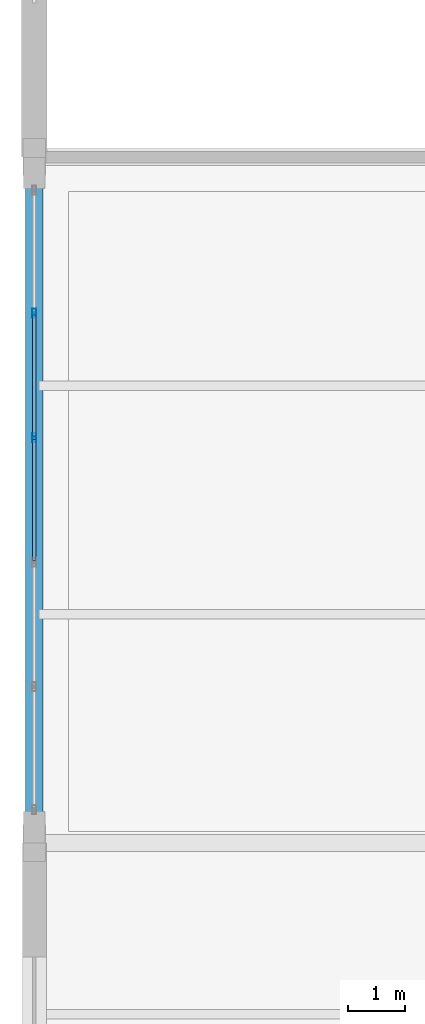
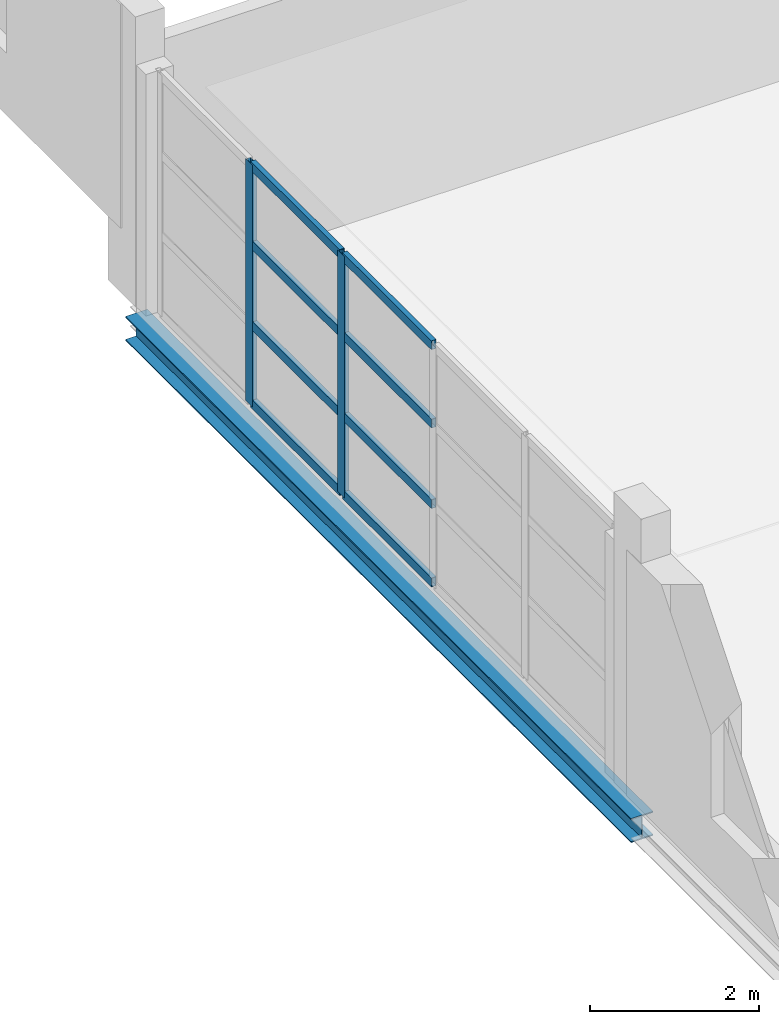
# One storey, part 115 of 158: 10 members, 1 beam, 1 element without a shape of its own.
"""IFC4 building model written with IfcOpenShell, lengths in metres."""

from ifc_helpers import new_model, si_unit, direction, frame, origin, origin_2d, place, context, subcontext, project, spatial, hollow_rectangle, i_section, extrude, material, layer, layer_set, material_profile, profile_set, type_object, element, aggregate, save


model = new_model("IFC4")

# Units and contexts
model_context = context("Model", 3, precision=1e-05, world=origin(), true_north=direction((0.0, 1.0)))
body_context = subcontext(model_context, "Body", "Model", "MODEL_VIEW")
ifc_project = project(units=[si_unit("LENGTHUNIT", "METRE"), si_unit("AREAUNIT", "SQUARE_METRE"), si_unit("VOLUMEUNIT", "CUBIC_METRE"), si_unit("PLANEANGLEUNIT", "RADIAN"), si_unit("MASSUNIT", "GRAM", prefix="KILO")], contexts=[model_context])

# Site, building, storey
site_placement = place(None, origin())
site = spatial("IfcSite", under=ifc_project, at=site_placement, CompositionType="ELEMENT")
building_placement = place(site_placement, origin())
building = spatial("IfcBuilding", under=site, at=building_placement, Name="Zilviju Railside Exhibition Hall", CompositionType="ELEMENT")
storey_placement = place(building_placement, frame((0.0, 0.0, 4.199951171875)))
storey = spatial("IfcBuildingStorey", under=building, at=storey_placement, Name="L02", CompositionType="ELEMENT", Elevation=4.199951171875)

# Beam
ifc_material_1 = material(Name="Steel S355J2", Category="steel")
ifc_material_profile_1 = material_profile(ifc_material_1, i_section(OverallWidth=0.300048828125, OverallDepth=0.35009765625, WebThickness=0.010009765625, FlangeThickness=0.017578125, at=origin_2d()), Name="HEA 360")
ifc_profile_set_1 = profile_set([ifc_material_profile_1], Name="Steel S355J2")
beam_type = type_object("IfcBeamType", Name="BM-HEA360", PredefinedType="BEAM", material=ifc_profile_set_1)
beam_placement = place(storey_placement, frame((0.0, 126.0, -0.52490234375), z_axis=(0.0, 1.0, 0.0), x_axis=(-1.0, 0.0, 0.0)))
element("IfcBeam", 1, at=beam_placement, inside=storey, type_object=beam_type, Name="Transverse Girder L02 X=0.0 (126.0..138.0)", PredefinedType="BEAM", context=body_context, shape_type="SweptSolid", body=[
    extrude(i_section(OverallWidth=0.300048828125, OverallDepth=0.35009765625, WebThickness=0.010009765625, FlangeThickness=0.017578125, at=origin_2d()), origin(), (0.0, 0.0, 1.0), 12.0),
])

# Curtain wall, members
ifc_material_2 = material(Name="Thermally broken aluminium-steel triple-glazed curtain wall", Category="steel")
ifc_layer = layer(ifc_material_2, 0.179931640625)
ifc_layer_set = layer_set([ifc_layer], Name="Thermally broken aluminium-steel triple-glazed curtain wall")
curtain_wall_type = type_object("IfcCurtainWallType", Name="CW-BAY-04", PredefinedType="USERDEFINED", material=ifc_layer_set)
curtain_wall_placement = place(storey_placement, origin())
curtain_wall = element("IfcCurtainWall", 2, at=curtain_wall_placement, inside=storey, type_object=curtain_wall_type, Name="Organisers Wing Jugendstils Erkeri Curtain Wall L02", ObjectType="GLAZED CURTAIN WALL", PredefinedType="USERDEFINED")
ifc_material_3 = material(Name="Thermally broken anodized aluminium mullion", Category="aluminium")
ifc_material_profile_2 = material_profile(ifc_material_3, hollow_rectangle(XDim=0.06494140625, YDim=0.159912109375, WallThickness=0.0048828125, at=origin_2d()), Name="MULLION 160x65x5")
ifc_profile_set_2 = profile_set([ifc_material_profile_2], Name="Thermally broken anodized aluminium mullion")
member_type_1 = type_object("IfcMemberType", Name="CWM-65x160", PredefinedType="MULLION", material=ifc_profile_set_2)
member_1_placement = place(storey_placement, frame((0.0, 133.090087890625, 0.0), z_axis=(0.0, 0.0, 1.0), x_axis=(-1.0, 0.0, 0.0)))
member_1 = element("IfcMember", 3, at=member_1_placement, type_object=member_type_1, Name="CW-04 mullion 4", PredefinedType="MULLION", context=body_context, shape_type="SweptSolid", body=[
    extrude(hollow_rectangle(XDim=0.06494140625, YDim=0.159912109375, WallThickness=0.0048828125, at=origin_2d()), origin(), (0.0, 0.0, 1.0), 3.5),
])
member_2_placement = place(storey_placement, frame((0.0, 135.27001953125, 0.0), z_axis=(0.0, 0.0, 1.0), x_axis=(-1.0, 0.0, 0.0)))
member_2 = element("IfcMember", 4, at=member_2_placement, type_object=member_type_1, Name="CW-04 mullion 5", PredefinedType="MULLION", context=body_context, shape_type="SweptSolid", body=[
    extrude(hollow_rectangle(XDim=0.06494140625, YDim=0.159912109375, WallThickness=0.0048828125, at=origin_2d()), origin(), (0.0, 0.0, 1.0), 3.5),
])
ifc_material_4 = material(Name="Thermally broken anodized aluminium transom", Category="aluminium")
ifc_material_profile_3 = material_profile(ifc_material_4, hollow_rectangle(XDim=0.06494140625, YDim=0.1298828125, WallThickness=0.0048828125, at=origin_2d()), Name="TRANSOM 130x65x5")
ifc_profile_set_3 = profile_set([ifc_material_profile_3], Name="Thermally broken anodized aluminium transom")
member_type_2 = type_object("IfcMemberType", Name="CWT-65x130", PredefinedType="USERDEFINED", material=ifc_profile_set_3)
member_3_placement = place(storey_placement, frame((0.0, 130.9423828125, 0.032470703125), z_axis=(0.0, 1.0, 0.0), x_axis=(-1.0, 0.0, 0.0)))
member_3 = element("IfcMember", 5, at=member_3_placement, type_object=member_type_2, Name="CW-04 transom 3.1", ObjectType="TRANSOM", PredefinedType="USERDEFINED", context=body_context, shape_type="SweptSolid", body=[
    extrude(hollow_rectangle(XDim=0.06494140625, YDim=0.1298828125, WallThickness=0.0048828125, at=origin_2d()), origin(), (0.0, 0.0, 1.0), 2.115234375),
])
member_4_placement = place(storey_placement, frame((0.0, 130.9423828125, 1.1669921875), z_axis=(0.0, 1.0, 0.0), x_axis=(-1.0, 0.0, 0.0)))
member_4 = element("IfcMember", 6, at=member_4_placement, type_object=member_type_2, Name="CW-04 transom 3.2", ObjectType="TRANSOM", PredefinedType="USERDEFINED", context=body_context, shape_type="SweptSolid", body=[
    extrude(hollow_rectangle(XDim=0.06494140625, YDim=0.1298828125, WallThickness=0.0048828125, at=origin_2d()), origin(), (0.0, 0.0, 1.0), 2.115234375),
])
member_5_placement = place(storey_placement, frame((0.0, 130.9423828125, 2.3330078125), z_axis=(0.0, 1.0, 0.0), x_axis=(-1.0, 0.0, 0.0)))
member_5 = element("IfcMember", 7, at=member_5_placement, type_object=member_type_2, Name="CW-04 transom 3.3", ObjectType="TRANSOM", PredefinedType="USERDEFINED", context=body_context, shape_type="SweptSolid", body=[
    extrude(hollow_rectangle(XDim=0.06494140625, YDim=0.1298828125, WallThickness=0.0048828125, at=origin_2d()), origin(), (0.0, 0.0, 1.0), 2.115234375),
])
member_6_placement = place(storey_placement, frame((0.0, 130.9423828125, 3.467529296875), z_axis=(0.0, 1.0, 0.0), x_axis=(-1.0, 0.0, 0.0)))
member_6 = element("IfcMember", 8, at=member_6_placement, type_object=member_type_2, Name="CW-04 transom 3.4", ObjectType="TRANSOM", PredefinedType="USERDEFINED", context=body_context, shape_type="SweptSolid", body=[
    extrude(hollow_rectangle(XDim=0.06494140625, YDim=0.1298828125, WallThickness=0.0048828125, at=origin_2d()), origin(), (0.0, 0.0, 1.0), 2.115234375),
])
member_7_placement = place(storey_placement, frame((0.0, 133.12255859375, 0.032470703125), z_axis=(0.0, 1.0, 0.0), x_axis=(-1.0, 0.0, 0.0)))
member_7 = element("IfcMember", 9, at=member_7_placement, type_object=member_type_2, Name="CW-04 transom 4.1", ObjectType="TRANSOM", PredefinedType="USERDEFINED", context=body_context, shape_type="SweptSolid", body=[
    extrude(hollow_rectangle(XDim=0.06494140625, YDim=0.1298828125, WallThickness=0.0048828125, at=origin_2d()), origin(), (0.0, 0.0, 1.0), 2.114990234375),
])
member_8_placement = place(storey_placement, frame((0.0, 133.12255859375, 1.1669921875), z_axis=(0.0, 1.0, 0.0), x_axis=(-1.0, 0.0, 0.0)))
member_8 = element("IfcMember", 10, at=member_8_placement, type_object=member_type_2, Name="CW-04 transom 4.2", ObjectType="TRANSOM", PredefinedType="USERDEFINED", context=body_context, shape_type="SweptSolid", body=[
    extrude(hollow_rectangle(XDim=0.06494140625, YDim=0.1298828125, WallThickness=0.0048828125, at=origin_2d()), origin(), (0.0, 0.0, 1.0), 2.114990234375),
])
member_9_placement = place(storey_placement, frame((0.0, 133.12255859375, 2.3330078125), z_axis=(0.0, 1.0, 0.0), x_axis=(-1.0, 0.0, 0.0)))
member_9 = element("IfcMember", 11, at=member_9_placement, type_object=member_type_2, Name="CW-04 transom 4.3", ObjectType="TRANSOM", PredefinedType="USERDEFINED", context=body_context, shape_type="SweptSolid", body=[
    extrude(hollow_rectangle(XDim=0.06494140625, YDim=0.1298828125, WallThickness=0.0048828125, at=origin_2d()), origin(), (0.0, 0.0, 1.0), 2.114990234375),
])
member_10_placement = place(storey_placement, frame((0.0, 133.12255859375, 3.467529296875), z_axis=(0.0, 1.0, 0.0), x_axis=(-1.0, 0.0, 0.0)))
member_10 = element("IfcMember", 12, at=member_10_placement, type_object=member_type_2, Name="CW-04 transom 4.4", ObjectType="TRANSOM", PredefinedType="USERDEFINED", context=body_context, shape_type="SweptSolid", body=[
    extrude(hollow_rectangle(XDim=0.06494140625, YDim=0.1298828125, WallThickness=0.0048828125, at=origin_2d()), origin(), (0.0, 0.0, 1.0), 2.114990234375),
])
aggregate(curtain_wall, [member_1, member_2, member_3, member_4, member_5, member_6, member_7, member_8, member_9, member_10])

save(model, "model.ifc")
